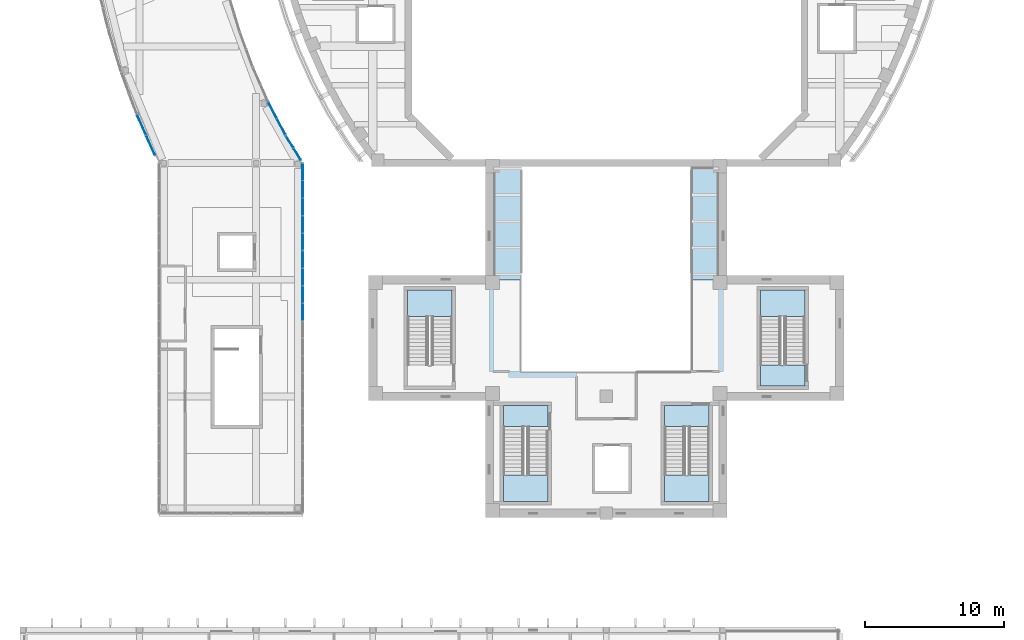
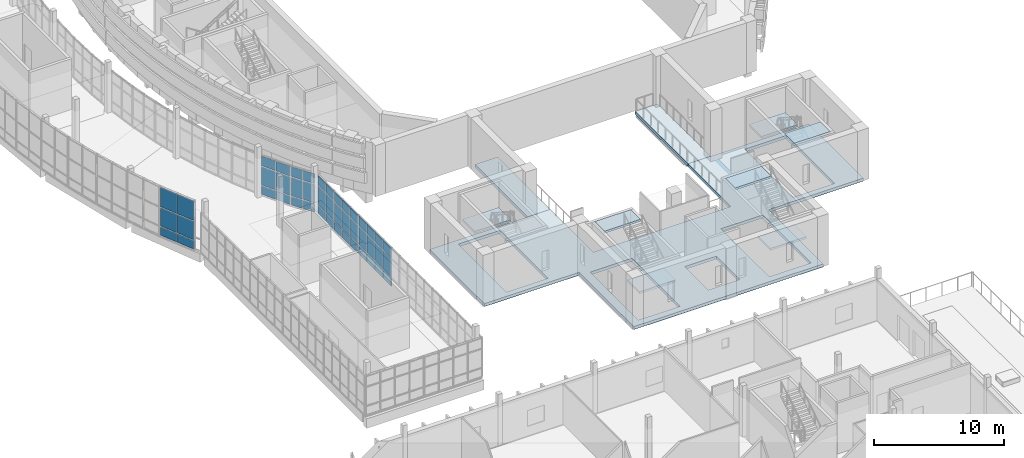
# One storey, part 37 of 103: 45 plates, 10 slabs, 9 elements without a shape of their own.
"""IFC4 building model written with IfcOpenShell, lengths in metres."""

from ifc_helpers import new_model, si_unit, direction, frame, origin, origin_2d, place, context, subcontext, project, spatial, polyline, rectangle, outline, extrude, material, layer, layer_set, type_object, element, aggregate, save


model = new_model("IFC4")

# Units and contexts
model_context = context("Model", 3, precision=1e-05, world=origin(), true_north=direction((0.0, 1.0)))
body_context = subcontext(model_context, "Body", "Model", "MODEL_VIEW")
ifc_project = project(units=[si_unit("LENGTHUNIT", "METRE"), si_unit("AREAUNIT", "SQUARE_METRE"), si_unit("VOLUMEUNIT", "CUBIC_METRE"), si_unit("PLANEANGLEUNIT", "RADIAN"), si_unit("MASSUNIT", "GRAM", prefix="KILO")], contexts=[model_context])

# Site, building, storey
site_placement = place(None, origin())
site = spatial("IfcSite", under=ifc_project, at=site_placement, CompositionType="ELEMENT")
building_placement = place(site_placement, origin())
building = spatial("IfcBuilding", under=site, at=building_placement, Name="Larchfold Concert Hall", CompositionType="ELEMENT")
storey_placement = place(building_placement, frame((0.0, 0.0, 9.60009765625)))
storey = spatial("IfcBuildingStorey", under=building, at=storey_placement, Name="L02", CompositionType="ELEMENT", Elevation=9.60009765625)

# Curtain wall, plates
ifc_material_1 = material(Name="Anodised graphite aluminium curtain wall", Category="aluminium")
ifc_layer_1 = layer(ifc_material_1, 0.14990234375)
ifc_layer_set_1 = layer_set([ifc_layer_1], Name="Anodised graphite aluminium curtain wall")
curtain_wall_type = type_object("IfcCurtainWallType", Name="Curtain wall WG", PredefinedType="NOTDEFINED", material=ifc_layer_set_1)
curtain_wall_1_placement = place(storey_placement, origin())
curtain_wall_1 = element("IfcCurtainWall", 1, at=curtain_wall_1_placement, inside=storey, type_object=curtain_wall_type, Name="Curtain wall CW0214", PredefinedType="NOTDEFINED")
ifc_material_2 = material(Name="Insulated glazing unit, glass", Category="glass")
ifc_layer_2 = layer(ifc_material_2, 0.028076171875)
ifc_layer_set_2 = layer_set([ifc_layer_2], Name="Insulated glazing unit, glass")
plate_type_1 = type_object("IfcPlateType", Name="Glass panel 28", PredefinedType="CURTAIN_PANEL", material=ifc_layer_set_2)
plate_1_placement = place(storey_placement, frame((20.352783203125, 60.043701171875, 0.93994140625), z_axis=(0.0, 0.0, 1.0), x_axis=(-0.524065636019, 0.851677878745, 0.0)))
plate_1 = element("IfcPlate", 2, at=plate_1_placement, type_object=plate_type_1, Name="CW0214 panel 1.2", PredefinedType="CURTAIN_PANEL", context=body_context, shape_type="SweptSolid", body=[
    extrude(rectangle(XDim=0.981201171875, YDim=0.028076171875, at=origin_2d()), origin(), (0.0, 0.0, 1.0), 1.719970703125),
])
plate_2_placement = place(storey_placement, frame((20.352783203125, 60.043701171875, 2.740234375), z_axis=(0.0, 0.0, 1.0), x_axis=(-0.524065636019, 0.851677878745, 0.0)))
plate_2 = element("IfcPlate", 3, at=plate_2_placement, type_object=plate_type_1, Name="CW0214 panel 1.3", PredefinedType="CURTAIN_PANEL", context=body_context, shape_type="SweptSolid", body=[
    extrude(rectangle(XDim=0.981201171875, YDim=0.028076171875, at=origin_2d()), origin(), (0.0, 0.0, 1.0), 0.929931640625),
])
plate_3_placement = place(storey_placement, frame((19.80712890625, 60.930419921875, 0.93994140625), z_axis=(0.0, 0.0, 1.0), x_axis=(-0.524065636019, 0.851677878745, 0.0)))
plate_3 = element("IfcPlate", 4, at=plate_3_placement, type_object=plate_type_1, Name="CW0214 panel 2.2", PredefinedType="CURTAIN_PANEL", context=body_context, shape_type="SweptSolid", body=[
    extrude(rectangle(XDim=0.981201171875, YDim=0.028076171875, at=origin_2d()), origin(), (0.0, 0.0, 1.0), 1.719970703125),
])
plate_4_placement = place(storey_placement, frame((19.80712890625, 60.930419921875, 2.740234375), z_axis=(0.0, 0.0, 1.0), x_axis=(-0.524065636019, 0.851677878745, 0.0)))
plate_4 = element("IfcPlate", 5, at=plate_4_placement, type_object=plate_type_1, Name="CW0214 panel 2.3", PredefinedType="CURTAIN_PANEL", context=body_context, shape_type="SweptSolid", body=[
    extrude(rectangle(XDim=0.981201171875, YDim=0.028076171875, at=origin_2d()), origin(), (0.0, 0.0, 1.0), 0.929931640625),
])

curtain_wall_2_placement = place(storey_placement, origin())
curtain_wall_2 = element("IfcCurtainWall", 6, at=curtain_wall_2_placement, inside=storey, type_object=curtain_wall_type, Name="Curtain wall CW0215", PredefinedType="NOTDEFINED")
plate_5_placement = place(storey_placement, frame((19.1953125, 62.01806640625, 0.93994140625), z_axis=(0.0, 0.0, 1.0), x_axis=(-0.463188817791, 0.886259622838, 0.0)))
plate_5 = element("IfcPlate", 7, at=plate_5_placement, type_object=plate_type_1, Name="CW0215 panel 1.2", PredefinedType="CURTAIN_PANEL", context=body_context, shape_type="SweptSolid", body=[
    extrude(rectangle(XDim=1.276123046875, YDim=0.028076171875, at=origin_2d()), origin(), (0.0, 0.0, 1.0), 1.719970703125),
])
plate_6_placement = place(storey_placement, frame((19.1953125, 62.01806640625, 2.740234375), z_axis=(0.0, 0.0, 1.0), x_axis=(-0.463188817791, 0.886259622838, 0.0)))
plate_6 = element("IfcPlate", 8, at=plate_6_placement, type_object=plate_type_1, Name="CW0215 panel 1.3", PredefinedType="CURTAIN_PANEL", context=body_context, shape_type="SweptSolid", body=[
    extrude(rectangle(XDim=1.276123046875, YDim=0.028076171875, at=origin_2d()), origin(), (0.0, 0.0, 1.0), 0.929931640625),
])
plate_7_placement = place(storey_placement, frame((18.576171875, 63.202392578125, 0.93994140625), z_axis=(0.0, 0.0, 1.0), x_axis=(-0.463188817791, 0.886259622838, 0.0)))
plate_7 = element("IfcPlate", 9, at=plate_7_placement, type_object=plate_type_1, Name="CW0215 panel 2.2", PredefinedType="CURTAIN_PANEL", context=body_context, shape_type="SweptSolid", body=[
    extrude(rectangle(XDim=1.276123046875, YDim=0.028076171875, at=origin_2d()), origin(), (0.0, 0.0, 1.0), 1.719970703125),
])
plate_8_placement = place(storey_placement, frame((18.576171875, 63.202392578125, 2.740234375), z_axis=(0.0, 0.0, 1.0), x_axis=(-0.463188817791, 0.886259622838, 0.0)))
plate_8 = element("IfcPlate", 10, at=plate_8_placement, type_object=plate_type_1, Name="CW0215 panel 2.3", PredefinedType="CURTAIN_PANEL", context=body_context, shape_type="SweptSolid", body=[
    extrude(rectangle(XDim=1.276123046875, YDim=0.028076171875, at=origin_2d()), origin(), (0.0, 0.0, 1.0), 0.929931640625),
])

curtain_wall_3_placement = place(storey_placement, origin())
curtain_wall_3 = element("IfcCurtainWall", 11, at=curtain_wall_3_placement, inside=storey, type_object=curtain_wall_type, Name="Curtain wall CW0281", PredefinedType="NOTDEFINED")
plate_9_placement = place(storey_placement, frame((9.149169921875, 62.15673828125, 0.93994140625), z_axis=(0.0, 0.0, 1.0), x_axis=(0.404126294549, -0.914703196701, 0.0)))
plate_9 = element("IfcPlate", 12, at=plate_9_placement, type_object=plate_type_1, Name="CW0281 panel 1.2", PredefinedType="CURTAIN_PANEL", context=body_context, shape_type="SweptSolid", body=[
    extrude(rectangle(XDim=1.554443359375, YDim=0.028076171875, at=origin_2d()), origin(), (0.0, 0.0, 1.0), 1.719970703125),
])
plate_10_placement = place(storey_placement, frame((9.149169921875, 62.15673828125, 2.740234375), z_axis=(0.0, 0.0, 1.0), x_axis=(0.404126294549, -0.914703196701, 0.0)))
plate_10 = element("IfcPlate", 13, at=plate_10_placement, type_object=plate_type_1, Name="CW0281 panel 1.3", PredefinedType="CURTAIN_PANEL", context=body_context, shape_type="SweptSolid", body=[
    extrude(rectangle(XDim=1.554443359375, YDim=0.028076171875, at=origin_2d()), origin(), (0.0, 0.0, 1.0), 1.829833984375),
])
plate_11_placement = place(storey_placement, frame((9.801513671875, 60.68017578125, 0.93994140625), z_axis=(0.0, 0.0, 1.0), x_axis=(0.404126294549, -0.914703196701, 0.0)))
plate_11 = element("IfcPlate", 14, at=plate_11_placement, type_object=plate_type_1, Name="CW0281 panel 2.2", PredefinedType="CURTAIN_PANEL", context=body_context, shape_type="SweptSolid", body=[
    extrude(rectangle(XDim=1.554443359375, YDim=0.028076171875, at=origin_2d()), origin(), (0.0, 0.0, 1.0), 1.719970703125),
])
plate_12_placement = place(storey_placement, frame((9.801513671875, 60.68017578125, 2.740234375), z_axis=(0.0, 0.0, 1.0), x_axis=(0.404126294549, -0.914703196701, 0.0)))
plate_12 = element("IfcPlate", 15, at=plate_12_placement, type_object=plate_type_1, Name="CW0281 panel 2.3", PredefinedType="CURTAIN_PANEL", context=body_context, shape_type="SweptSolid", body=[
    extrude(rectangle(XDim=1.554443359375, YDim=0.028076171875, at=origin_2d()), origin(), (0.0, 0.0, 1.0), 1.829833984375),
])

curtain_wall_4_placement = place(storey_placement, origin())
curtain_wall_4 = element("IfcCurtainWall", 16, at=curtain_wall_4_placement, inside=storey, type_object=curtain_wall_type, Name="Curtain wall CW0290", PredefinedType="NOTDEFINED")
plate_13_placement = place(storey_placement, frame((20.748779296875, 48.68994140625, 0.93994140625), z_axis=(0.0, 0.0, 1.0), x_axis=(0.0, 1.0, 0.0)))
plate_13 = element("IfcPlate", 17, at=plate_13_placement, type_object=plate_type_1, Name="CW0290 panel 2.2", PredefinedType="CURTAIN_PANEL", context=body_context, shape_type="SweptSolid", body=[
    extrude(rectangle(XDim=1.199951171875, YDim=0.028076171875, at=origin_2d()), origin(), (0.0, 0.0, 1.0), 1.719970703125),
])
plate_14_placement = place(storey_placement, frame((20.748779296875, 48.68994140625, 2.740234375), z_axis=(0.0, 0.0, 1.0), x_axis=(0.0, 1.0, 0.0)))
plate_14 = element("IfcPlate", 18, at=plate_14_placement, type_object=plate_type_1, Name="CW0290 panel 2.3", PredefinedType="CURTAIN_PANEL", context=body_context, shape_type="SweptSolid", body=[
    extrude(rectangle(XDim=1.199951171875, YDim=0.028076171875, at=origin_2d()), origin(), (0.0, 0.0, 1.0), 0.929931640625),
])
plate_15_placement = place(storey_placement, frame((20.748779296875, 49.949951171875, 0.93994140625), z_axis=(0.0, 0.0, 1.0), x_axis=(0.0, 1.0, 0.0)))
plate_15 = element("IfcPlate", 19, at=plate_15_placement, type_object=plate_type_1, Name="CW0290 panel 3.2", PredefinedType="CURTAIN_PANEL", context=body_context, shape_type="SweptSolid", body=[
    extrude(rectangle(XDim=1.199951171875, YDim=0.028076171875, at=origin_2d()), origin(), (0.0, 0.0, 1.0), 1.719970703125),
])
plate_16_placement = place(storey_placement, frame((20.748779296875, 49.949951171875, 2.740234375), z_axis=(0.0, 0.0, 1.0), x_axis=(0.0, 1.0, 0.0)))
plate_16 = element("IfcPlate", 20, at=plate_16_placement, type_object=plate_type_1, Name="CW0290 panel 3.3", PredefinedType="CURTAIN_PANEL", context=body_context, shape_type="SweptSolid", body=[
    extrude(rectangle(XDim=1.199951171875, YDim=0.028076171875, at=origin_2d()), origin(), (0.0, 0.0, 1.0), 0.929931640625),
])
plate_17_placement = place(storey_placement, frame((20.748779296875, 51.2099609375, 0.93994140625), z_axis=(0.0, 0.0, 1.0), x_axis=(0.0, 1.0, 0.0)))
plate_17 = element("IfcPlate", 21, at=plate_17_placement, type_object=plate_type_1, Name="CW0290 panel 4.2", PredefinedType="CURTAIN_PANEL", context=body_context, shape_type="SweptSolid", body=[
    extrude(rectangle(XDim=1.199951171875, YDim=0.028076171875, at=origin_2d()), origin(), (0.0, 0.0, 1.0), 1.719970703125),
])
plate_18_placement = place(storey_placement, frame((20.748779296875, 51.2099609375, 2.740234375), z_axis=(0.0, 0.0, 1.0), x_axis=(0.0, 1.0, 0.0)))
plate_18 = element("IfcPlate", 22, at=plate_18_placement, type_object=plate_type_1, Name="CW0290 panel 4.3", PredefinedType="CURTAIN_PANEL", context=body_context, shape_type="SweptSolid", body=[
    extrude(rectangle(XDim=1.199951171875, YDim=0.028076171875, at=origin_2d()), origin(), (0.0, 0.0, 1.0), 0.929931640625),
])
plate_19_placement = place(storey_placement, frame((20.748779296875, 52.454833984375, 0.93994140625), z_axis=(0.0, 0.0, 1.0), x_axis=(0.0, 1.0, 0.0)))
plate_19 = element("IfcPlate", 23, at=plate_19_placement, type_object=plate_type_1, Name="CW0290 panel 5.2", PredefinedType="CURTAIN_PANEL", context=body_context, shape_type="SweptSolid", body=[
    extrude(rectangle(XDim=1.169921875, YDim=0.028076171875, at=origin_2d()), origin(), (0.0, 0.0, 1.0), 1.719970703125),
])
plate_20_placement = place(storey_placement, frame((20.748779296875, 52.454833984375, 2.740234375), z_axis=(0.0, 0.0, 1.0), x_axis=(0.0, 1.0, 0.0)))
plate_20 = element("IfcPlate", 24, at=plate_20_placement, type_object=plate_type_1, Name="CW0290 panel 5.3", PredefinedType="CURTAIN_PANEL", context=body_context, shape_type="SweptSolid", body=[
    extrude(rectangle(XDim=1.169921875, YDim=0.028076171875, at=origin_2d()), origin(), (0.0, 0.0, 1.0), 0.929931640625),
])

curtain_wall_5_placement = place(storey_placement, origin())
curtain_wall_5 = element("IfcCurtainWall", 25, at=curtain_wall_5_placement, inside=storey, type_object=curtain_wall_type, Name="Curtain wall CW0291", PredefinedType="NOTDEFINED")
plate_21_placement = place(storey_placement, frame((20.748779296875, 53.744873046875, 0.93994140625), z_axis=(0.0, 0.0, 1.0), x_axis=(0.0, 1.0, 0.0)))
plate_21 = element("IfcPlate", 26, at=plate_21_placement, type_object=plate_type_1, Name="CW0291 panel 1.2", PredefinedType="CURTAIN_PANEL", context=body_context, shape_type="SweptSolid", body=[
    extrude(rectangle(XDim=1.169921875, YDim=0.028076171875, at=origin_2d()), origin(), (0.0, 0.0, 1.0), 1.719970703125),
])
plate_22_placement = place(storey_placement, frame((20.748779296875, 53.744873046875, 2.740234375), z_axis=(0.0, 0.0, 1.0), x_axis=(0.0, 1.0, 0.0)))
plate_22 = element("IfcPlate", 27, at=plate_22_placement, type_object=plate_type_1, Name="CW0291 panel 1.3", PredefinedType="CURTAIN_PANEL", context=body_context, shape_type="SweptSolid", body=[
    extrude(rectangle(XDim=1.169921875, YDim=0.028076171875, at=origin_2d()), origin(), (0.0, 0.0, 1.0), 0.929931640625),
])
plate_23_placement = place(storey_placement, frame((20.748779296875, 54.98974609375, 0.93994140625), z_axis=(0.0, 0.0, 1.0), x_axis=(0.0, 1.0, 0.0)))
plate_23 = element("IfcPlate", 28, at=plate_23_placement, type_object=plate_type_1, Name="CW0291 panel 2.2", PredefinedType="CURTAIN_PANEL", context=body_context, shape_type="SweptSolid", body=[
    extrude(rectangle(XDim=1.199951171875, YDim=0.028076171875, at=origin_2d()), origin(), (0.0, 0.0, 1.0), 1.719970703125),
])
plate_24_placement = place(storey_placement, frame((20.748779296875, 54.98974609375, 2.740234375), z_axis=(0.0, 0.0, 1.0), x_axis=(0.0, 1.0, 0.0)))
plate_24 = element("IfcPlate", 29, at=plate_24_placement, type_object=plate_type_1, Name="CW0291 panel 2.3", PredefinedType="CURTAIN_PANEL", context=body_context, shape_type="SweptSolid", body=[
    extrude(rectangle(XDim=1.199951171875, YDim=0.028076171875, at=origin_2d()), origin(), (0.0, 0.0, 1.0), 0.929931640625),
])
plate_25_placement = place(storey_placement, frame((20.748779296875, 56.25, 0.93994140625), z_axis=(0.0, 0.0, 1.0), x_axis=(0.0, 1.0, 0.0)))
plate_25 = element("IfcPlate", 30, at=plate_25_placement, type_object=plate_type_1, Name="CW0291 panel 3.2", PredefinedType="CURTAIN_PANEL", context=body_context, shape_type="SweptSolid", body=[
    extrude(rectangle(XDim=1.199951171875, YDim=0.028076171875, at=origin_2d()), origin(), (0.0, 0.0, 1.0), 1.719970703125),
])
plate_26_placement = place(storey_placement, frame((20.748779296875, 56.25, 2.740234375), z_axis=(0.0, 0.0, 1.0), x_axis=(0.0, 1.0, 0.0)))
plate_26 = element("IfcPlate", 31, at=plate_26_placement, type_object=plate_type_1, Name="CW0291 panel 3.3", PredefinedType="CURTAIN_PANEL", context=body_context, shape_type="SweptSolid", body=[
    extrude(rectangle(XDim=1.199951171875, YDim=0.028076171875, at=origin_2d()), origin(), (0.0, 0.0, 1.0), 0.929931640625),
])
plate_27_placement = place(storey_placement, frame((20.748779296875, 57.510009765625, 0.93994140625), z_axis=(0.0, 0.0, 1.0), x_axis=(0.0, 1.0, 0.0)))
plate_27 = element("IfcPlate", 32, at=plate_27_placement, type_object=plate_type_1, Name="CW0291 panel 4.2", PredefinedType="CURTAIN_PANEL", context=body_context, shape_type="SweptSolid", body=[
    extrude(rectangle(XDim=1.199951171875, YDim=0.028076171875, at=origin_2d()), origin(), (0.0, 0.0, 1.0), 1.719970703125),
])
plate_28_placement = place(storey_placement, frame((20.748779296875, 57.510009765625, 2.740234375), z_axis=(0.0, 0.0, 1.0), x_axis=(0.0, 1.0, 0.0)))
plate_28 = element("IfcPlate", 33, at=plate_28_placement, type_object=plate_type_1, Name="CW0291 panel 4.3", PredefinedType="CURTAIN_PANEL", context=body_context, shape_type="SweptSolid", body=[
    extrude(rectangle(XDim=1.199951171875, YDim=0.028076171875, at=origin_2d()), origin(), (0.0, 0.0, 1.0), 0.929931640625),
])
plate_29_placement = place(storey_placement, frame((20.748779296875, 58.7548828125, 0.93994140625), z_axis=(0.0, 0.0, 1.0), x_axis=(0.0, 1.0, 0.0)))
plate_29 = element("IfcPlate", 34, at=plate_29_placement, type_object=plate_type_1, Name="CW0291 panel 5.2", PredefinedType="CURTAIN_PANEL", context=body_context, shape_type="SweptSolid", body=[
    extrude(rectangle(XDim=1.169921875, YDim=0.028076171875, at=origin_2d()), origin(), (0.0, 0.0, 1.0), 1.719970703125),
])
plate_30_placement = place(storey_placement, frame((20.748779296875, 58.7548828125, 2.740234375), z_axis=(0.0, 0.0, 1.0), x_axis=(0.0, 1.0, 0.0)))
plate_30 = element("IfcPlate", 35, at=plate_30_placement, type_object=plate_type_1, Name="CW0291 panel 5.3", PredefinedType="CURTAIN_PANEL", context=body_context, shape_type="SweptSolid", body=[
    extrude(rectangle(XDim=1.169921875, YDim=0.028076171875, at=origin_2d()), origin(), (0.0, 0.0, 1.0), 0.929931640625),
])

# Plate
ifc_material_3 = material(Name="White insulated panel")
ifc_layer_3 = layer(ifc_material_3, 0.06005859375)
ifc_layer_set_3 = layer_set([ifc_layer_3], Name="White insulated panel")
plate_type_2 = type_object("IfcPlateType", Name="Insulated spandrel panel 60", PredefinedType="CURTAIN_PANEL", material=ifc_layer_set_3)
plate_31_placement = place(storey_placement, frame((20.352783203125, 60.043701171875, 0.080078125), z_axis=(0.0, 0.0, 1.0), x_axis=(-0.524065636019, 0.851677878745, 0.0)))
plate_31 = element("IfcPlate", 36, at=plate_31_placement, type_object=plate_type_2, Name="CW0214 panel 1.1", PredefinedType="CURTAIN_PANEL", context=body_context, shape_type="SweptSolid", body=[
    extrude(rectangle(XDim=0.981201171875, YDim=0.06005859375, at=origin_2d()), origin(), (0.0, 0.0, 1.0), 0.77978515625),
])

plate_32_placement = place(storey_placement, frame((19.80712890625, 60.930419921875, 0.080078125), z_axis=(0.0, 0.0, 1.0), x_axis=(-0.524065636019, 0.851677878745, 0.0)))
plate_32 = element("IfcPlate", 37, at=plate_32_placement, type_object=plate_type_2, Name="CW0214 panel 2.1", PredefinedType="CURTAIN_PANEL", context=body_context, shape_type="SweptSolid", body=[
    extrude(rectangle(XDim=0.981201171875, YDim=0.06005859375, at=origin_2d()), origin(), (0.0, 0.0, 1.0), 0.77978515625),
])

aggregate(curtain_wall_1, [plate_31, plate_1, plate_2, plate_32, plate_3, plate_4])

plate_33_placement = place(storey_placement, frame((19.1953125, 62.01806640625, 0.080078125), z_axis=(0.0, 0.0, 1.0), x_axis=(-0.463188817791, 0.886259622838, 0.0)))
plate_33 = element("IfcPlate", 38, at=plate_33_placement, type_object=plate_type_2, Name="CW0215 panel 1.1", PredefinedType="CURTAIN_PANEL", context=body_context, shape_type="SweptSolid", body=[
    extrude(rectangle(XDim=1.276123046875, YDim=0.06005859375, at=origin_2d()), origin(), (0.0, 0.0, 1.0), 0.77978515625),
])

plate_34_placement = place(storey_placement, frame((18.576171875, 63.202392578125, 0.080078125), z_axis=(0.0, 0.0, 1.0), x_axis=(-0.463188817791, 0.886259622838, 0.0)))
plate_34 = element("IfcPlate", 39, at=plate_34_placement, type_object=plate_type_2, Name="CW0215 panel 2.1", PredefinedType="CURTAIN_PANEL", context=body_context, shape_type="SweptSolid", body=[
    extrude(rectangle(XDim=1.276123046875, YDim=0.06005859375, at=origin_2d()), origin(), (0.0, 0.0, 1.0), 0.77978515625),
])

aggregate(curtain_wall_2, [plate_33, plate_5, plate_6, plate_34, plate_7, plate_8])

plate_35_placement = place(storey_placement, frame((9.149169921875, 62.15673828125, 0.080078125), z_axis=(0.0, 0.0, 1.0), x_axis=(0.404126294549, -0.914703196701, 0.0)))
plate_35 = element("IfcPlate", 40, at=plate_35_placement, type_object=plate_type_2, Name="CW0281 panel 1.1", PredefinedType="CURTAIN_PANEL", context=body_context, shape_type="SweptSolid", body=[
    extrude(rectangle(XDim=1.554443359375, YDim=0.06005859375, at=origin_2d()), origin(), (0.0, 0.0, 1.0), 0.77978515625),
])

plate_36_placement = place(storey_placement, frame((9.801513671875, 60.68017578125, 0.080078125), z_axis=(0.0, 0.0, 1.0), x_axis=(0.404126294549, -0.914703196701, 0.0)))
plate_36 = element("IfcPlate", 41, at=plate_36_placement, type_object=plate_type_2, Name="CW0281 panel 2.1", PredefinedType="CURTAIN_PANEL", context=body_context, shape_type="SweptSolid", body=[
    extrude(rectangle(XDim=1.554443359375, YDim=0.06005859375, at=origin_2d()), origin(), (0.0, 0.0, 1.0), 0.77978515625),
])

aggregate(curtain_wall_3, [plate_35, plate_9, plate_10, plate_36, plate_11, plate_12])

plate_37_placement = place(storey_placement, frame((20.748779296875, 48.68994140625, 0.080078125), z_axis=(0.0, 0.0, 1.0), x_axis=(0.0, 1.0, 0.0)))
plate_37 = element("IfcPlate", 42, at=plate_37_placement, type_object=plate_type_2, Name="CW0290 panel 2.1", PredefinedType="CURTAIN_PANEL", context=body_context, shape_type="SweptSolid", body=[
    extrude(rectangle(XDim=1.199951171875, YDim=0.06005859375, at=origin_2d()), origin(), (0.0, 0.0, 1.0), 0.77978515625),
])

plate_38_placement = place(storey_placement, frame((20.748779296875, 49.949951171875, 0.080078125), z_axis=(0.0, 0.0, 1.0), x_axis=(0.0, 1.0, 0.0)))
plate_38 = element("IfcPlate", 43, at=plate_38_placement, type_object=plate_type_2, Name="CW0290 panel 3.1", PredefinedType="CURTAIN_PANEL", context=body_context, shape_type="SweptSolid", body=[
    extrude(rectangle(XDim=1.199951171875, YDim=0.06005859375, at=origin_2d()), origin(), (0.0, 0.0, 1.0), 0.77978515625),
])

plate_39_placement = place(storey_placement, frame((20.748779296875, 51.2099609375, 0.080078125), z_axis=(0.0, 0.0, 1.0), x_axis=(0.0, 1.0, 0.0)))
plate_39 = element("IfcPlate", 44, at=plate_39_placement, type_object=plate_type_2, Name="CW0290 panel 4.1", PredefinedType="CURTAIN_PANEL", context=body_context, shape_type="SweptSolid", body=[
    extrude(rectangle(XDim=1.199951171875, YDim=0.06005859375, at=origin_2d()), origin(), (0.0, 0.0, 1.0), 0.77978515625),
])

plate_40_placement = place(storey_placement, frame((20.748779296875, 52.454833984375, 0.080078125), z_axis=(0.0, 0.0, 1.0), x_axis=(0.0, 1.0, 0.0)))
plate_40 = element("IfcPlate", 45, at=plate_40_placement, type_object=plate_type_2, Name="CW0290 panel 5.1", PredefinedType="CURTAIN_PANEL", context=body_context, shape_type="SweptSolid", body=[
    extrude(rectangle(XDim=1.169921875, YDim=0.06005859375, at=origin_2d()), origin(), (0.0, 0.0, 1.0), 0.77978515625),
])

aggregate(curtain_wall_4, [plate_37, plate_13, plate_14, plate_38, plate_15, plate_16, plate_39, plate_17, plate_18, plate_40, plate_19, plate_20])

plate_41_placement = place(storey_placement, frame((20.748779296875, 53.744873046875, 0.080078125), z_axis=(0.0, 0.0, 1.0), x_axis=(0.0, 1.0, 0.0)))
plate_41 = element("IfcPlate", 46, at=plate_41_placement, type_object=plate_type_2, Name="CW0291 panel 1.1", PredefinedType="CURTAIN_PANEL", context=body_context, shape_type="SweptSolid", body=[
    extrude(rectangle(XDim=1.169921875, YDim=0.06005859375, at=origin_2d()), origin(), (0.0, 0.0, 1.0), 0.77978515625),
])

plate_42_placement = place(storey_placement, frame((20.748779296875, 54.98974609375, 0.080078125), z_axis=(0.0, 0.0, 1.0), x_axis=(0.0, 1.0, 0.0)))
plate_42 = element("IfcPlate", 47, at=plate_42_placement, type_object=plate_type_2, Name="CW0291 panel 2.1", PredefinedType="CURTAIN_PANEL", context=body_context, shape_type="SweptSolid", body=[
    extrude(rectangle(XDim=1.199951171875, YDim=0.06005859375, at=origin_2d()), origin(), (0.0, 0.0, 1.0), 0.77978515625),
])

plate_43_placement = place(storey_placement, frame((20.748779296875, 56.25, 0.080078125), z_axis=(0.0, 0.0, 1.0), x_axis=(0.0, 1.0, 0.0)))
plate_43 = element("IfcPlate", 48, at=plate_43_placement, type_object=plate_type_2, Name="CW0291 panel 3.1", PredefinedType="CURTAIN_PANEL", context=body_context, shape_type="SweptSolid", body=[
    extrude(rectangle(XDim=1.199951171875, YDim=0.06005859375, at=origin_2d()), origin(), (0.0, 0.0, 1.0), 0.77978515625),
])

plate_44_placement = place(storey_placement, frame((20.748779296875, 57.510009765625, 0.080078125), z_axis=(0.0, 0.0, 1.0), x_axis=(0.0, 1.0, 0.0)))
plate_44 = element("IfcPlate", 49, at=plate_44_placement, type_object=plate_type_2, Name="CW0291 panel 4.1", PredefinedType="CURTAIN_PANEL", context=body_context, shape_type="SweptSolid", body=[
    extrude(rectangle(XDim=1.199951171875, YDim=0.06005859375, at=origin_2d()), origin(), (0.0, 0.0, 1.0), 0.77978515625),
])

plate_45_placement = place(storey_placement, frame((20.748779296875, 58.7548828125, 0.080078125), z_axis=(0.0, 0.0, 1.0), x_axis=(0.0, 1.0, 0.0)))
plate_45 = element("IfcPlate", 50, at=plate_45_placement, type_object=plate_type_2, Name="CW0291 panel 5.1", PredefinedType="CURTAIN_PANEL", context=body_context, shape_type="SweptSolid", body=[
    extrude(rectangle(XDim=1.169921875, YDim=0.06005859375, at=origin_2d()), origin(), (0.0, 0.0, 1.0), 0.77978515625),
])

aggregate(curtain_wall_5, [plate_41, plate_21, plate_22, plate_42, plate_23, plate_24, plate_43, plate_25, plate_26, plate_44, plate_27, plate_28, plate_45, plate_29, plate_30])

# Slabs
ifc_material_4 = material(Name="Concrete C35/45", Category="concrete")
ifc_layer_4 = layer(ifc_material_4, 0.280029296875)
ifc_layer_set_4 = layer_set([ifc_layer_4], Name="Concrete C35/45")
slab_type_1 = type_object("IfcSlabType", Name="Slab 280 flat plate", PredefinedType="FLOOR", material=ifc_layer_set_4)
slab_1_placement = place(storey_placement, frame((0.0, 0.0, -0.2802734375)))
element("IfcSlab", 51, at=slab_1_placement, inside=storey, type_object=slab_type_1, Name="Slab S0006", PredefinedType="FLOOR", context=body_context, shape_type="SweptSolid", body=[
    extrude(outline(polyline([(59.39990234375, 51.0), (51.0, 51.0), (48.699951171875, 51.0), (48.699951171875, 44.39990234375), (36.5, 44.39990234375), (36.5, 51.0), (34.199951171875, 51.0), (34.199951171875, 59.39990234375), (34.199951171875, 51.0), (25.800048828125, 51.0), (25.800048828125, 42.60009765625), (34.199951171875, 42.60009765625), (34.199951171875, 34.199951171875), (51.0, 34.199951171875), (51.0, 42.60009765625), (59.39990234375, 42.60009765625), (59.39990234375, 51.0)]), holes=[polyline([(41.60009765625, 35.60009765625), (41.60009765625, 39.199951171875), (44.39990234375, 39.199951171875), (44.39990234375, 35.60009765625), (41.60009765625, 35.60009765625)]), polyline([(34.949951171875, 42.199951171875), (38.64990234375, 42.199951171875), (38.64990234375, 34.800048828125), (34.949951171875, 34.800048828125), (34.949951171875, 42.199951171875)]), polyline([(46.550048828125, 42.199951171875), (50.25, 42.199951171875), (50.25, 34.800048828125), (46.550048828125, 34.800048828125), (46.550048828125, 42.199951171875)]), polyline([(28.050048828125, 50.5), (31.75, 50.5), (31.75, 43.10009765625), (28.050048828125, 43.10009765625), (28.050048828125, 50.5)]), polyline([(53.449951171875, 50.5), (57.14990234375, 50.5), (57.14990234375, 43.10009765625), (53.449951171875, 43.10009765625), (53.449951171875, 50.5)])]), origin(), (0.0, 0.0, 1.0), 0.2802734375),
])
slab_2_placement = place(storey_placement, frame((0.0, 0.0, -0.2802734375)))
element("IfcSlab", 52, at=slab_2_placement, inside=storey, type_object=slab_type_1, Name="Slab S0009", PredefinedType="FLOOR", context=body_context, shape_type="SweptSolid", body=[
    extrude(outline(polyline([(36.5, 51.0), (36.5, 59.10009765625), (34.5, 59.10009765625), (34.5, 51.0), (36.5, 51.0)])), origin(), (0.0, 0.0, 1.0), 0.2802734375),
])
slab_3_placement = place(storey_placement, frame((0.0, 0.0, -0.2802734375)))
element("IfcSlab", 53, at=slab_3_placement, inside=storey, type_object=slab_type_1, Name="Slab S0010", PredefinedType="FLOOR", context=body_context, shape_type="SweptSolid", body=[
    extrude(outline(polyline([(50.699951171875, 51.0), (50.699951171875, 59.10009765625), (48.699951171875, 59.10009765625), (48.699951171875, 51.0), (50.699951171875, 51.0)])), origin(), (0.0, 0.0, 1.0), 0.2802734375),
])

# Stair, slab
ifc_material_5 = material(Name="Concrete C35/45", Category="concrete")
stair_type = type_object("IfcStairType", Name="Stair RC half-turn enclosed", PredefinedType="HALF_TURN_STAIR", material=ifc_material_5)
stair_1_placement = place(storey_placement, origin())
stair_1 = element("IfcStair", 54, at=stair_1_placement, inside=storey, type_object=stair_type, Name="Stair SH1", PredefinedType="HALF_TURN_STAIR")
ifc_material_6 = material(Name="Concrete C35/45", Category="concrete")
ifc_layer_5 = layer(ifc_material_6, 0.199951171875)
ifc_layer_set_5 = layer_set([ifc_layer_5], Name="Concrete C35/45")
slab_type_2 = type_object("IfcSlabType", Name="Stair landing RC 200", PredefinedType="LANDING", material=ifc_layer_set_5)
slab_4_placement = place(storey_placement, frame((0.0, 0.0, 2.199951171875)))
slab_4 = element("IfcSlab", 55, at=slab_4_placement, type_object=slab_type_2, Name="ST09 landing 1", PredefinedType="LANDING", context=body_context, shape_type="SweptSolid", body=[
    extrude(outline(polyline([(31.5, 48.360107421875), (31.5, 50.25), (28.300048828125, 50.25), (28.300048828125, 48.360107421875), (31.5, 48.360107421875)])), origin(), (0.0, 0.0, 1.0), 0.199951171875),
])
aggregate(stair_1, [slab_4])

# Stair, slabs
stair_2_placement = place(storey_placement, origin())
stair_2 = element("IfcStair", 56, at=stair_2_placement, inside=storey, type_object=stair_type, Name="Stair SH2", PredefinedType="HALF_TURN_STAIR")
slab_5_placement = place(storey_placement, frame((0.0, 0.0, 2.199951171875)))
slab_5 = element("IfcSlab", 57, at=slab_5_placement, type_object=slab_type_2, Name="ST10 landing 1", PredefinedType="LANDING", context=body_context, shape_type="SweptSolid", body=[
    extrude(outline(polyline([(56.89990234375, 48.360107421875), (56.89990234375, 50.25), (53.699951171875, 50.25), (53.699951171875, 48.360107421875), (56.89990234375, 48.360107421875)])), origin(), (0.0, 0.0, 1.0), 0.199951171875),
])
slab_6_placement = place(storey_placement, frame((0.0, 0.0, 4.599853515625)))
slab_6 = element("IfcSlab", 58, at=slab_6_placement, type_object=slab_type_2, Name="ST10 landing 2", PredefinedType="LANDING", context=body_context, shape_type="SweptSolid", body=[
    extrude(outline(polyline([(56.89990234375, 43.35009765625), (56.89990234375, 44.85009765625), (53.699951171875, 44.85009765625), (53.699951171875, 43.35009765625), (56.89990234375, 43.35009765625)])), origin(), (0.0, 0.0, 1.0), 0.199951171875),
])
aggregate(stair_2, [slab_5, slab_6])

stair_3_placement = place(storey_placement, origin())
stair_3 = element("IfcStair", 59, at=stair_3_placement, inside=storey, type_object=stair_type, Name="Stair SH3", PredefinedType="HALF_TURN_STAIR")
slab_7_placement = place(storey_placement, frame((0.0, 0.0, 2.199951171875)))
slab_7 = element("IfcSlab", 60, at=slab_7_placement, type_object=slab_type_2, Name="ST11 landing 1", PredefinedType="LANDING", context=body_context, shape_type="SweptSolid", body=[
    extrude(outline(polyline([(35.199951171875, 36.93994140625), (35.199951171875, 35.050048828125), (38.39990234375, 35.050048828125), (38.39990234375, 36.93994140625), (35.199951171875, 36.93994140625)])), origin(), (0.0, 0.0, 1.0), 0.199951171875),
])
slab_8_placement = place(storey_placement, frame((0.0, 0.0, 4.599853515625)))
slab_8 = element("IfcSlab", 61, at=slab_8_placement, type_object=slab_type_2, Name="ST11 landing 2", PredefinedType="LANDING", context=body_context, shape_type="SweptSolid", body=[
    extrude(outline(polyline([(35.199951171875, 41.949951171875), (35.199951171875, 40.449951171875), (38.39990234375, 40.449951171875), (38.39990234375, 41.949951171875), (35.199951171875, 41.949951171875)])), origin(), (0.0, 0.0, 1.0), 0.199951171875),
])
aggregate(stair_3, [slab_7, slab_8])

stair_4_placement = place(storey_placement, origin())
stair_4 = element("IfcStair", 62, at=stair_4_placement, inside=storey, type_object=stair_type, Name="Stair SH4", PredefinedType="HALF_TURN_STAIR")
slab_9_placement = place(storey_placement, frame((0.0, 0.0, 2.199951171875)))
slab_9 = element("IfcSlab", 63, at=slab_9_placement, type_object=slab_type_2, Name="ST12 landing 1", PredefinedType="LANDING", context=body_context, shape_type="SweptSolid", body=[
    extrude(outline(polyline([(46.800048828125, 36.93994140625), (46.800048828125, 35.050048828125), (50.0, 35.050048828125), (50.0, 36.93994140625), (46.800048828125, 36.93994140625)])), origin(), (0.0, 0.0, 1.0), 0.199951171875),
])
slab_10_placement = place(storey_placement, frame((0.0, 0.0, 4.599853515625)))
slab_10 = element("IfcSlab", 64, at=slab_10_placement, type_object=slab_type_2, Name="ST12 landing 2", PredefinedType="LANDING", context=body_context, shape_type="SweptSolid", body=[
    extrude(outline(polyline([(46.800048828125, 41.949951171875), (46.800048828125, 40.449951171875), (50.0, 40.449951171875), (50.0, 41.949951171875), (46.800048828125, 41.949951171875)])), origin(), (0.0, 0.0, 1.0), 0.199951171875),
])
aggregate(stair_4, [slab_9, slab_10])

save(model, "model.ifc")
